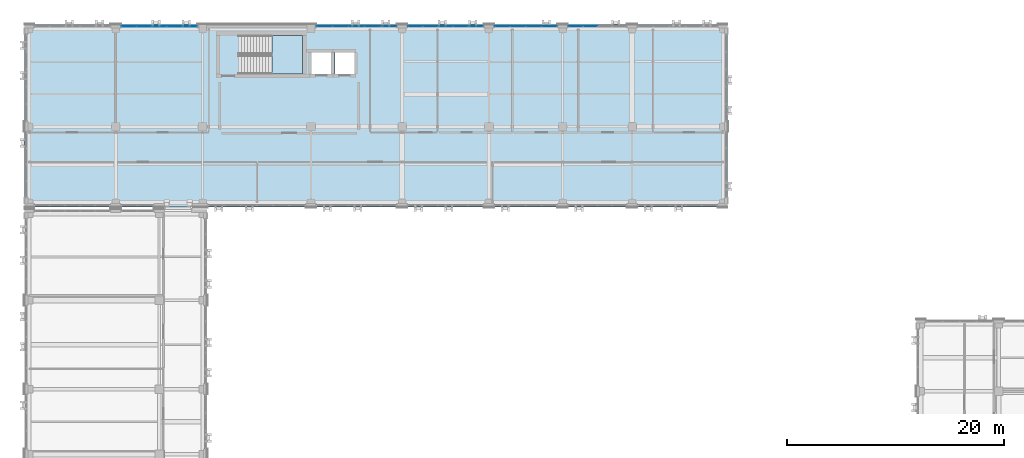
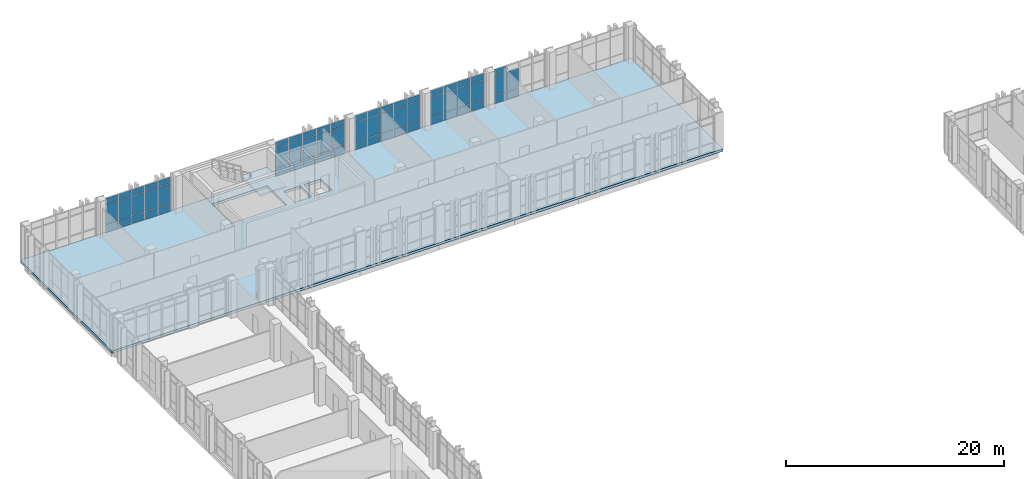
# One storey, part 127 of 165: 62 plates, 2 slabs, 6 elements without a shape of their own.
"""IFC4 building model written with IfcOpenShell, lengths in metres."""

from ifc_helpers import new_model, si_unit, direction, frame, origin, origin_2d, place, context, subcontext, project, spatial, polyline, rectangle, outline, extrude, material, layer, layer_set, type_object, element, aggregate, save


model = new_model("IFC4")

# Units and contexts
model_context = context("Model", 3, precision=1e-05, world=origin(), true_north=direction((0.0, 1.0)))
body_context = subcontext(model_context, "Body", "Model", "MODEL_VIEW")
ifc_project = project(units=[si_unit("LENGTHUNIT", "METRE"), si_unit("AREAUNIT", "SQUARE_METRE"), si_unit("VOLUMEUNIT", "CUBIC_METRE"), si_unit("PLANEANGLEUNIT", "RADIAN"), si_unit("MASSUNIT", "GRAM", prefix="KILO")], contexts=[model_context])

# Site, building, storey
site_placement = place(None, origin())
site = spatial("IfcSite", under=ifc_project, at=site_placement, CompositionType="ELEMENT")
building_placement = place(site_placement, origin())
building = spatial("IfcBuilding", under=site, at=building_placement, Name="Qalavern Law Courts", CompositionType="ELEMENT")
storey_placement = place(building_placement, frame((0.0, 0.0, 14.39990234375)))
storey = spatial("IfcBuildingStorey", under=building, at=storey_placement, Name="L03", CompositionType="ELEMENT", Elevation=14.39990234375)

# Curtain wall, plates
ifc_material_1 = material(Name="Anodised aluminium and insulated glazing", Category="aluminium")
ifc_layer_1 = layer(ifc_material_1, 0.166015625)
ifc_layer_set_1 = layer_set([ifc_layer_1], Name="Anodised aluminium and insulated glazing")
curtain_wall_type = type_object("IfcCurtainWallType", Name="ENV-CW-LIB", PredefinedType="USERDEFINED", material=ifc_layer_set_1)
curtain_wall_1_placement = place(storey_placement, origin())
curtain_wall_1 = element("IfcCurtainWall", 1, at=curtain_wall_1_placement, inside=storey, type_object=curtain_wall_type, Name="V5 unitised curtain wall L03 north 2", ObjectType="UNITISED CURTAIN WALL", PredefinedType="USERDEFINED")
ifc_material_2 = material(Name="Insulated low-E acoustic glazing", Category="glass")
ifc_layer_2 = layer(ifc_material_2, 0.02392578125)
ifc_layer_set_2 = layer_set([ifc_layer_2], Name="Insulated low-E acoustic glazing")
plate_type_1 = type_object("IfcPlateType", Name="ENV-CWP-24", PredefinedType="CURTAIN_PANEL", material=ifc_layer_set_2)
plate_1_placement = place(storey_placement, frame((54.125, 112.8525390625, 0.048095703125), z_axis=(0.0, 0.0, 1.0), x_axis=(-1.0, 0.0, 0.0)))
plate_1 = element("IfcPlate", 2, at=plate_1_placement, type_object=plate_type_1, Name="CW-05 panel 3.1", PredefinedType="CURTAIN_PANEL", context=body_context, shape_type="SweptSolid", body=[
    extrude(rectangle(XDim=1.302001953125, YDim=0.02392578125, at=origin_2d()), origin(), (0.0, 0.0, 1.0), 0.8779296875),
])
plate_2_placement = place(storey_placement, frame((54.125, 112.8525390625, 0.97412109375), z_axis=(0.0, 0.0, 1.0), x_axis=(-1.0, 0.0, 0.0)))
plate_2 = element("IfcPlate", 3, at=plate_2_placement, type_object=plate_type_1, Name="CW-05 panel 3.2", PredefinedType="CURTAIN_PANEL", context=body_context, shape_type="SweptSolid", body=[
    extrude(rectangle(XDim=1.302001953125, YDim=0.02392578125, at=origin_2d()), origin(), (0.0, 0.0, 1.0), 2.172119140625),
])
plate_3_placement = place(storey_placement, frame((52.787109375, 112.8525390625, 0.048095703125), z_axis=(0.0, 0.0, 1.0), x_axis=(-1.0, 0.0, 0.0)))
plate_3 = element("IfcPlate", 4, at=plate_3_placement, type_object=plate_type_1, Name="CW-05 panel 4.1", PredefinedType="CURTAIN_PANEL", context=body_context, shape_type="SweptSolid", body=[
    extrude(rectangle(XDim=1.278076171875, YDim=0.02392578125, at=origin_2d()), origin(), (0.0, 0.0, 1.0), 0.8779296875),
])
plate_4_placement = place(storey_placement, frame((52.787109375, 112.8525390625, 0.97412109375), z_axis=(0.0, 0.0, 1.0), x_axis=(-1.0, 0.0, 0.0)))
plate_4 = element("IfcPlate", 5, at=plate_4_placement, type_object=plate_type_1, Name="CW-05 panel 4.2", PredefinedType="CURTAIN_PANEL", context=body_context, shape_type="SweptSolid", body=[
    extrude(rectangle(XDim=1.278076171875, YDim=0.02392578125, at=origin_2d()), origin(), (0.0, 0.0, 1.0), 2.172119140625),
])
plate_5_placement = place(storey_placement, frame((52.787109375, 112.8525390625, 3.1943359375), z_axis=(0.0, 0.0, 1.0), x_axis=(-1.0, 0.0, 0.0)))
plate_5 = element("IfcPlate", 6, at=plate_5_placement, type_object=plate_type_1, Name="CW-05 panel 4.3", PredefinedType="CURTAIN_PANEL", context=body_context, shape_type="SweptSolid", body=[
    extrude(rectangle(XDim=1.278076171875, YDim=0.02392578125, at=origin_2d()), origin(), (0.0, 0.0, 1.0), 0.677978515625),
])
aggregate(curtain_wall_1, [plate_1, plate_2, plate_3, plate_4, plate_5])

curtain_wall_2_placement = place(storey_placement, origin())
curtain_wall_2 = element("IfcCurtainWall", 7, at=curtain_wall_2_placement, inside=storey, type_object=curtain_wall_type, Name="V5 unitised curtain wall L03 north 3", ObjectType="UNITISED CURTAIN WALL", PredefinedType="USERDEFINED")
ifc_layer_3 = layer(ifc_material_2, 0.028076171875)
ifc_layer_set_3 = layer_set([ifc_layer_3], Name="Insulated low-E acoustic glazing")
plate_type_2 = type_object("IfcPlateType", Name="ENV-CWP-28", PredefinedType="CURTAIN_PANEL", material=ifc_layer_set_3)
plate_6_placement = place(storey_placement, frame((50.363037109375, 112.8525390625, 0.048095703125), z_axis=(0.0, 0.0, 1.0), x_axis=(-1.0, 0.0, 0.0)))
plate_6 = element("IfcPlate", 8, at=plate_6_placement, type_object=plate_type_2, Name="CW-05 panel 1.1", PredefinedType="CURTAIN_PANEL", context=body_context, shape_type="SweptSolid", body=[
    extrude(rectangle(XDim=1.3779296875, YDim=0.028076171875, at=origin_2d()), origin(), (0.0, 0.0, 1.0), 0.8779296875),
])
plate_7_placement = place(storey_placement, frame((50.363037109375, 112.8525390625, 0.97412109375), z_axis=(0.0, 0.0, 1.0), x_axis=(-1.0, 0.0, 0.0)))
plate_7 = element("IfcPlate", 9, at=plate_7_placement, type_object=plate_type_2, Name="CW-05 panel 1.2", PredefinedType="CURTAIN_PANEL", context=body_context, shape_type="SweptSolid", body=[
    extrude(rectangle(XDim=1.3779296875, YDim=0.028076171875, at=origin_2d()), origin(), (0.0, 0.0, 1.0), 2.172119140625),
])
plate_8_placement = place(storey_placement, frame((50.363037109375, 112.8525390625, 3.1943359375), z_axis=(0.0, 0.0, 1.0), x_axis=(-1.0, 0.0, 0.0)))
plate_8 = element("IfcPlate", 10, at=plate_8_placement, type_object=plate_type_2, Name="CW-05 panel 1.3", PredefinedType="CURTAIN_PANEL", context=body_context, shape_type="SweptSolid", body=[
    extrude(rectangle(XDim=1.3779296875, YDim=0.028076171875, at=origin_2d()), origin(), (0.0, 0.0, 1.0), 0.677978515625),
])
plate_9_placement = place(storey_placement, frame((48.925048828125, 112.8525390625, 0.048095703125), z_axis=(0.0, 0.0, 1.0), x_axis=(-1.0, 0.0, 0.0)))
plate_9 = element("IfcPlate", 11, at=plate_9_placement, type_object=plate_type_2, Name="CW-05 panel 2.1", PredefinedType="CURTAIN_PANEL", context=body_context, shape_type="SweptSolid", body=[
    extrude(rectangle(XDim=1.402099609375, YDim=0.028076171875, at=origin_2d()), origin(), (0.0, 0.0, 1.0), 0.8779296875),
])
plate_10_placement = place(storey_placement, frame((48.925048828125, 112.8525390625, 0.97412109375), z_axis=(0.0, 0.0, 1.0), x_axis=(-1.0, 0.0, 0.0)))
plate_10 = element("IfcPlate", 12, at=plate_10_placement, type_object=plate_type_2, Name="CW-05 panel 2.2", PredefinedType="CURTAIN_PANEL", context=body_context, shape_type="SweptSolid", body=[
    extrude(rectangle(XDim=1.402099609375, YDim=0.028076171875, at=origin_2d()), origin(), (0.0, 0.0, 1.0), 2.172119140625),
])
plate_11_placement = place(storey_placement, frame((48.925048828125, 112.8525390625, 3.1943359375), z_axis=(0.0, 0.0, 1.0), x_axis=(-1.0, 0.0, 0.0)))
plate_11 = element("IfcPlate", 13, at=plate_11_placement, type_object=plate_type_2, Name="CW-05 panel 2.3", PredefinedType="CURTAIN_PANEL", context=body_context, shape_type="SweptSolid", body=[
    extrude(rectangle(XDim=1.402099609375, YDim=0.028076171875, at=origin_2d()), origin(), (0.0, 0.0, 1.0), 0.677978515625),
])
plate_12_placement = place(storey_placement, frame((47.47509765625, 112.8525390625, 0.048095703125), z_axis=(0.0, 0.0, 1.0), x_axis=(-1.0, 0.0, 0.0)))
plate_12 = element("IfcPlate", 14, at=plate_12_placement, type_object=plate_type_2, Name="CW-05 panel 3.1", PredefinedType="CURTAIN_PANEL", context=body_context, shape_type="SweptSolid", body=[
    extrude(rectangle(XDim=1.402099609375, YDim=0.028076171875, at=origin_2d()), origin(), (0.0, 0.0, 1.0), 0.8779296875),
])
plate_13_placement = place(storey_placement, frame((47.47509765625, 112.8525390625, 0.97412109375), z_axis=(0.0, 0.0, 1.0), x_axis=(-1.0, 0.0, 0.0)))
plate_13 = element("IfcPlate", 15, at=plate_13_placement, type_object=plate_type_2, Name="CW-05 panel 3.2", PredefinedType="CURTAIN_PANEL", context=body_context, shape_type="SweptSolid", body=[
    extrude(rectangle(XDim=1.402099609375, YDim=0.028076171875, at=origin_2d()), origin(), (0.0, 0.0, 1.0), 2.172119140625),
])
plate_14_placement = place(storey_placement, frame((47.47509765625, 112.8525390625, 3.1943359375), z_axis=(0.0, 0.0, 1.0), x_axis=(-1.0, 0.0, 0.0)))
plate_14 = element("IfcPlate", 16, at=plate_14_placement, type_object=plate_type_2, Name="CW-05 panel 3.3", PredefinedType="CURTAIN_PANEL", context=body_context, shape_type="SweptSolid", body=[
    extrude(rectangle(XDim=1.402099609375, YDim=0.028076171875, at=origin_2d()), origin(), (0.0, 0.0, 1.0), 0.677978515625),
])
plate_15_placement = place(storey_placement, frame((46.037109375, 112.8525390625, 0.048095703125), z_axis=(0.0, 0.0, 1.0), x_axis=(-1.0, 0.0, 0.0)))
plate_15 = element("IfcPlate", 17, at=plate_15_placement, type_object=plate_type_2, Name="CW-05 panel 4.1", PredefinedType="CURTAIN_PANEL", context=body_context, shape_type="SweptSolid", body=[
    extrude(rectangle(XDim=1.3779296875, YDim=0.028076171875, at=origin_2d()), origin(), (0.0, 0.0, 1.0), 0.8779296875),
])
plate_16_placement = place(storey_placement, frame((46.037109375, 112.8525390625, 0.97412109375), z_axis=(0.0, 0.0, 1.0), x_axis=(-1.0, 0.0, 0.0)))
plate_16 = element("IfcPlate", 18, at=plate_16_placement, type_object=plate_type_2, Name="CW-05 panel 4.2", PredefinedType="CURTAIN_PANEL", context=body_context, shape_type="SweptSolid", body=[
    extrude(rectangle(XDim=1.3779296875, YDim=0.028076171875, at=origin_2d()), origin(), (0.0, 0.0, 1.0), 2.172119140625),
])
plate_17_placement = place(storey_placement, frame((46.037109375, 112.8525390625, 3.1943359375), z_axis=(0.0, 0.0, 1.0), x_axis=(-1.0, 0.0, 0.0)))
plate_17 = element("IfcPlate", 19, at=plate_17_placement, type_object=plate_type_2, Name="CW-05 panel 4.3", PredefinedType="CURTAIN_PANEL", context=body_context, shape_type="SweptSolid", body=[
    extrude(rectangle(XDim=1.3779296875, YDim=0.028076171875, at=origin_2d()), origin(), (0.0, 0.0, 1.0), 0.677978515625),
])
aggregate(curtain_wall_2, [plate_6, plate_7, plate_8, plate_9, plate_10, plate_11, plate_12, plate_13, plate_14, plate_15, plate_16, plate_17])

curtain_wall_3_placement = place(storey_placement, origin())
curtain_wall_3 = element("IfcCurtainWall", 20, at=curtain_wall_3_placement, inside=storey, type_object=curtain_wall_type, Name="V5 unitised curtain wall L03 north 4", ObjectType="UNITISED CURTAIN WALL", PredefinedType="USERDEFINED")
ifc_layer_4 = layer(ifc_material_2, 0.031982421875)
ifc_layer_set_4 = layer_set([ifc_layer_4], Name="Insulated low-E acoustic glazing")
plate_type_3 = type_object("IfcPlateType", Name="ENV-CWP-32", PredefinedType="CURTAIN_PANEL", material=ifc_layer_set_4)
plate_18_placement = place(storey_placement, frame((43.587890625, 112.8525390625, 0.048095703125), z_axis=(0.0, 0.0, 1.0), x_axis=(-1.0, 0.0, 0.0)))
plate_18 = element("IfcPlate", 21, at=plate_18_placement, type_object=plate_type_3, Name="CW-05 panel 1.1", PredefinedType="CURTAIN_PANEL", context=body_context, shape_type="SweptSolid", body=[
    extrude(rectangle(XDim=1.327880859375, YDim=0.031982421875, at=origin_2d()), origin(), (0.0, 0.0, 1.0), 0.8779296875),
])
plate_19_placement = place(storey_placement, frame((43.587890625, 112.8525390625, 0.97412109375), z_axis=(0.0, 0.0, 1.0), x_axis=(-1.0, 0.0, 0.0)))
plate_19 = element("IfcPlate", 22, at=plate_19_placement, type_object=plate_type_3, Name="CW-05 panel 1.2", PredefinedType="CURTAIN_PANEL", context=body_context, shape_type="SweptSolid", body=[
    extrude(rectangle(XDim=1.327880859375, YDim=0.031982421875, at=origin_2d()), origin(), (0.0, 0.0, 1.0), 2.172119140625),
])
plate_20_placement = place(storey_placement, frame((43.587890625, 112.8525390625, 3.1943359375), z_axis=(0.0, 0.0, 1.0), x_axis=(-1.0, 0.0, 0.0)))
plate_20 = element("IfcPlate", 23, at=plate_20_placement, type_object=plate_type_3, Name="CW-05 panel 1.3", PredefinedType="CURTAIN_PANEL", context=body_context, shape_type="SweptSolid", body=[
    extrude(rectangle(XDim=1.327880859375, YDim=0.031982421875, at=origin_2d()), origin(), (0.0, 0.0, 1.0), 0.677978515625),
])
plate_21_placement = place(storey_placement, frame((42.199951171875, 112.8525390625, 0.048095703125), z_axis=(0.0, 0.0, 1.0), x_axis=(-1.0, 0.0, 0.0)))
plate_21 = element("IfcPlate", 24, at=plate_21_placement, type_object=plate_type_3, Name="CW-05 panel 2.1", PredefinedType="CURTAIN_PANEL", context=body_context, shape_type="SweptSolid", body=[
    extrude(rectangle(XDim=1.35205078125, YDim=0.031982421875, at=origin_2d()), origin(), (0.0, 0.0, 1.0), 0.8779296875),
])
plate_22_placement = place(storey_placement, frame((42.199951171875, 112.8525390625, 0.97412109375), z_axis=(0.0, 0.0, 1.0), x_axis=(-1.0, 0.0, 0.0)))
plate_22 = element("IfcPlate", 25, at=plate_22_placement, type_object=plate_type_3, Name="CW-05 panel 2.2", PredefinedType="CURTAIN_PANEL", context=body_context, shape_type="SweptSolid", body=[
    extrude(rectangle(XDim=1.35205078125, YDim=0.031982421875, at=origin_2d()), origin(), (0.0, 0.0, 1.0), 2.172119140625),
])
plate_23_placement = place(storey_placement, frame((42.199951171875, 112.8525390625, 3.1943359375), z_axis=(0.0, 0.0, 1.0), x_axis=(-1.0, 0.0, 0.0)))
plate_23 = element("IfcPlate", 26, at=plate_23_placement, type_object=plate_type_3, Name="CW-05 panel 2.3", PredefinedType="CURTAIN_PANEL", context=body_context, shape_type="SweptSolid", body=[
    extrude(rectangle(XDim=1.35205078125, YDim=0.031982421875, at=origin_2d()), origin(), (0.0, 0.0, 1.0), 0.677978515625),
])
plate_24_placement = place(storey_placement, frame((40.800048828125, 112.8525390625, 0.048095703125), z_axis=(0.0, 0.0, 1.0), x_axis=(-1.0, 0.0, 0.0)))
plate_24 = element("IfcPlate", 27, at=plate_24_placement, type_object=plate_type_3, Name="CW-05 panel 3.1", PredefinedType="CURTAIN_PANEL", context=body_context, shape_type="SweptSolid", body=[
    extrude(rectangle(XDim=1.35205078125, YDim=0.031982421875, at=origin_2d()), origin(), (0.0, 0.0, 1.0), 0.8779296875),
])
plate_25_placement = place(storey_placement, frame((40.800048828125, 112.8525390625, 0.97412109375), z_axis=(0.0, 0.0, 1.0), x_axis=(-1.0, 0.0, 0.0)))
plate_25 = element("IfcPlate", 28, at=plate_25_placement, type_object=plate_type_3, Name="CW-05 panel 3.2", PredefinedType="CURTAIN_PANEL", context=body_context, shape_type="SweptSolid", body=[
    extrude(rectangle(XDim=1.35205078125, YDim=0.031982421875, at=origin_2d()), origin(), (0.0, 0.0, 1.0), 2.172119140625),
])
plate_26_placement = place(storey_placement, frame((40.800048828125, 112.8525390625, 3.1943359375), z_axis=(0.0, 0.0, 1.0), x_axis=(-1.0, 0.0, 0.0)))
plate_26 = element("IfcPlate", 29, at=plate_26_placement, type_object=plate_type_3, Name="CW-05 panel 3.3", PredefinedType="CURTAIN_PANEL", context=body_context, shape_type="SweptSolid", body=[
    extrude(rectangle(XDim=1.35205078125, YDim=0.031982421875, at=origin_2d()), origin(), (0.0, 0.0, 1.0), 0.677978515625),
])
plate_27_placement = place(storey_placement, frame((39.39990234375, 112.8525390625, 0.048095703125), z_axis=(0.0, 0.0, 1.0), x_axis=(-1.0, 0.0, 0.0)))
plate_27 = element("IfcPlate", 30, at=plate_27_placement, type_object=plate_type_3, Name="CW-05 panel 4.1", PredefinedType="CURTAIN_PANEL", context=body_context, shape_type="SweptSolid", body=[
    extrude(rectangle(XDim=1.35205078125, YDim=0.031982421875, at=origin_2d()), origin(), (0.0, 0.0, 1.0), 0.8779296875),
])
plate_28_placement = place(storey_placement, frame((39.39990234375, 112.8525390625, 0.97412109375), z_axis=(0.0, 0.0, 1.0), x_axis=(-1.0, 0.0, 0.0)))
plate_28 = element("IfcPlate", 31, at=plate_28_placement, type_object=plate_type_3, Name="CW-05 panel 4.2", PredefinedType="CURTAIN_PANEL", context=body_context, shape_type="SweptSolid", body=[
    extrude(rectangle(XDim=1.35205078125, YDim=0.031982421875, at=origin_2d()), origin(), (0.0, 0.0, 1.0), 2.172119140625),
])
plate_29_placement = place(storey_placement, frame((39.39990234375, 112.8525390625, 3.1943359375), z_axis=(0.0, 0.0, 1.0), x_axis=(-1.0, 0.0, 0.0)))
plate_29 = element("IfcPlate", 32, at=plate_29_placement, type_object=plate_type_3, Name="CW-05 panel 4.3", PredefinedType="CURTAIN_PANEL", context=body_context, shape_type="SweptSolid", body=[
    extrude(rectangle(XDim=1.35205078125, YDim=0.031982421875, at=origin_2d()), origin(), (0.0, 0.0, 1.0), 0.677978515625),
])
plate_30_placement = place(storey_placement, frame((38.011962890625, 112.8525390625, 0.048095703125), z_axis=(0.0, 0.0, 1.0), x_axis=(-1.0, 0.0, 0.0)))
plate_30 = element("IfcPlate", 33, at=plate_30_placement, type_object=plate_type_3, Name="CW-05 panel 5.1", PredefinedType="CURTAIN_PANEL", context=body_context, shape_type="SweptSolid", body=[
    extrude(rectangle(XDim=1.327880859375, YDim=0.031982421875, at=origin_2d()), origin(), (0.0, 0.0, 1.0), 0.8779296875),
])
plate_31_placement = place(storey_placement, frame((38.011962890625, 112.8525390625, 0.97412109375), z_axis=(0.0, 0.0, 1.0), x_axis=(-1.0, 0.0, 0.0)))
plate_31 = element("IfcPlate", 34, at=plate_31_placement, type_object=plate_type_3, Name="CW-05 panel 5.2", PredefinedType="CURTAIN_PANEL", context=body_context, shape_type="SweptSolid", body=[
    extrude(rectangle(XDim=1.327880859375, YDim=0.031982421875, at=origin_2d()), origin(), (0.0, 0.0, 1.0), 2.172119140625),
])
plate_32_placement = place(storey_placement, frame((38.011962890625, 112.8525390625, 3.1943359375), z_axis=(0.0, 0.0, 1.0), x_axis=(-1.0, 0.0, 0.0)))
plate_32 = element("IfcPlate", 35, at=plate_32_placement, type_object=plate_type_3, Name="CW-05 panel 5.3", PredefinedType="CURTAIN_PANEL", context=body_context, shape_type="SweptSolid", body=[
    extrude(rectangle(XDim=1.327880859375, YDim=0.031982421875, at=origin_2d()), origin(), (0.0, 0.0, 1.0), 0.677978515625),
])
aggregate(curtain_wall_3, [plate_18, plate_19, plate_20, plate_21, plate_22, plate_23, plate_24, plate_25, plate_26, plate_27, plate_28, plate_29, plate_30, plate_31, plate_32])

curtain_wall_4_placement = place(storey_placement, origin())
curtain_wall_4 = element("IfcCurtainWall", 36, at=curtain_wall_4_placement, inside=storey, type_object=curtain_wall_type, Name="V5 unitised curtain wall L03 north 5", ObjectType="UNITISED CURTAIN WALL", PredefinedType="USERDEFINED")
ifc_layer_5 = layer(ifc_material_2, 0.035888671875)
ifc_layer_set_5 = layer_set([ifc_layer_5], Name="Insulated low-E acoustic glazing")
plate_type_4 = type_object("IfcPlateType", Name="ENV-CWP-36", PredefinedType="CURTAIN_PANEL", material=ifc_layer_set_5)
plate_33_placement = place(storey_placement, frame((35.548095703125, 112.8525390625, 0.048095703125), z_axis=(0.0, 0.0, 1.0), x_axis=(-1.0, 0.0, 0.0)))
plate_33 = element("IfcPlate", 37, at=plate_33_placement, type_object=plate_type_4, Name="CW-05 panel 1.1", PredefinedType="CURTAIN_PANEL", context=body_context, shape_type="SweptSolid", body=[
    extrude(rectangle(XDim=1.407958984375, YDim=0.035888671875, at=origin_2d()), origin(), (0.0, 0.0, 1.0), 0.8779296875),
])
plate_34_placement = place(storey_placement, frame((35.548095703125, 112.8525390625, 0.97412109375), z_axis=(0.0, 0.0, 1.0), x_axis=(-1.0, 0.0, 0.0)))
plate_34 = element("IfcPlate", 38, at=plate_34_placement, type_object=plate_type_4, Name="CW-05 panel 1.2", PredefinedType="CURTAIN_PANEL", context=body_context, shape_type="SweptSolid", body=[
    extrude(rectangle(XDim=1.407958984375, YDim=0.035888671875, at=origin_2d()), origin(), (0.0, 0.0, 1.0), 2.172119140625),
])
plate_35_placement = place(storey_placement, frame((35.548095703125, 112.8525390625, 3.1943359375), z_axis=(0.0, 0.0, 1.0), x_axis=(-1.0, 0.0, 0.0)))
plate_35 = element("IfcPlate", 39, at=plate_35_placement, type_object=plate_type_4, Name="CW-05 panel 1.3", PredefinedType="CURTAIN_PANEL", context=body_context, shape_type="SweptSolid", body=[
    extrude(rectangle(XDim=1.407958984375, YDim=0.035888671875, at=origin_2d()), origin(), (0.0, 0.0, 1.0), 0.677978515625),
])
plate_36_placement = place(storey_placement, frame((34.080078125, 112.8525390625, 0.048095703125), z_axis=(0.0, 0.0, 1.0), x_axis=(-1.0, 0.0, 0.0)))
plate_36 = element("IfcPlate", 40, at=plate_36_placement, type_object=plate_type_4, Name="CW-05 panel 2.1", PredefinedType="CURTAIN_PANEL", context=body_context, shape_type="SweptSolid", body=[
    extrude(rectangle(XDim=1.431884765625, YDim=0.035888671875, at=origin_2d()), origin(), (0.0, 0.0, 1.0), 0.8779296875),
])
plate_37_placement = place(storey_placement, frame((34.080078125, 112.8525390625, 0.97412109375), z_axis=(0.0, 0.0, 1.0), x_axis=(-1.0, 0.0, 0.0)))
plate_37 = element("IfcPlate", 41, at=plate_37_placement, type_object=plate_type_4, Name="CW-05 panel 2.2", PredefinedType="CURTAIN_PANEL", context=body_context, shape_type="SweptSolid", body=[
    extrude(rectangle(XDim=1.431884765625, YDim=0.035888671875, at=origin_2d()), origin(), (0.0, 0.0, 1.0), 2.172119140625),
])
plate_38_placement = place(storey_placement, frame((34.080078125, 112.8525390625, 3.1943359375), z_axis=(0.0, 0.0, 1.0), x_axis=(-1.0, 0.0, 0.0)))
plate_38 = element("IfcPlate", 42, at=plate_38_placement, type_object=plate_type_4, Name="CW-05 panel 2.3", PredefinedType="CURTAIN_PANEL", context=body_context, shape_type="SweptSolid", body=[
    extrude(rectangle(XDim=1.431884765625, YDim=0.035888671875, at=origin_2d()), origin(), (0.0, 0.0, 1.0), 0.677978515625),
])
plate_39_placement = place(storey_placement, frame((32.60009765625, 112.8525390625, 0.048095703125), z_axis=(0.0, 0.0, 1.0), x_axis=(-1.0, 0.0, 0.0)))
plate_39 = element("IfcPlate", 43, at=plate_39_placement, type_object=plate_type_4, Name="CW-05 panel 3.1", PredefinedType="CURTAIN_PANEL", context=body_context, shape_type="SweptSolid", body=[
    extrude(rectangle(XDim=1.431884765625, YDim=0.035888671875, at=origin_2d()), origin(), (0.0, 0.0, 1.0), 0.8779296875),
])
plate_40_placement = place(storey_placement, frame((32.60009765625, 112.8525390625, 0.97412109375), z_axis=(0.0, 0.0, 1.0), x_axis=(-1.0, 0.0, 0.0)))
plate_40 = element("IfcPlate", 44, at=plate_40_placement, type_object=plate_type_4, Name="CW-05 panel 3.2", PredefinedType="CURTAIN_PANEL", context=body_context, shape_type="SweptSolid", body=[
    extrude(rectangle(XDim=1.431884765625, YDim=0.035888671875, at=origin_2d()), origin(), (0.0, 0.0, 1.0), 2.172119140625),
])
plate_41_placement = place(storey_placement, frame((32.60009765625, 112.8525390625, 3.1943359375), z_axis=(0.0, 0.0, 1.0), x_axis=(-1.0, 0.0, 0.0)))
plate_41 = element("IfcPlate", 45, at=plate_41_placement, type_object=plate_type_4, Name="CW-05 panel 3.3", PredefinedType="CURTAIN_PANEL", context=body_context, shape_type="SweptSolid", body=[
    extrude(rectangle(XDim=1.431884765625, YDim=0.035888671875, at=origin_2d()), origin(), (0.0, 0.0, 1.0), 0.677978515625),
])
plate_42_placement = place(storey_placement, frame((31.1201171875, 112.8525390625, 0.048095703125), z_axis=(0.0, 0.0, 1.0), x_axis=(-1.0, 0.0, 0.0)))
plate_42 = element("IfcPlate", 46, at=plate_42_placement, type_object=plate_type_4, Name="CW-05 panel 4.1", PredefinedType="CURTAIN_PANEL", context=body_context, shape_type="SweptSolid", body=[
    extrude(rectangle(XDim=1.431884765625, YDim=0.035888671875, at=origin_2d()), origin(), (0.0, 0.0, 1.0), 0.8779296875),
])
plate_43_placement = place(storey_placement, frame((31.1201171875, 112.8525390625, 0.97412109375), z_axis=(0.0, 0.0, 1.0), x_axis=(-1.0, 0.0, 0.0)))
plate_43 = element("IfcPlate", 47, at=plate_43_placement, type_object=plate_type_4, Name="CW-05 panel 4.2", PredefinedType="CURTAIN_PANEL", context=body_context, shape_type="SweptSolid", body=[
    extrude(rectangle(XDim=1.431884765625, YDim=0.035888671875, at=origin_2d()), origin(), (0.0, 0.0, 1.0), 2.172119140625),
])
plate_44_placement = place(storey_placement, frame((31.1201171875, 112.8525390625, 3.1943359375), z_axis=(0.0, 0.0, 1.0), x_axis=(-1.0, 0.0, 0.0)))
plate_44 = element("IfcPlate", 48, at=plate_44_placement, type_object=plate_type_4, Name="CW-05 panel 4.3", PredefinedType="CURTAIN_PANEL", context=body_context, shape_type="SweptSolid", body=[
    extrude(rectangle(XDim=1.431884765625, YDim=0.035888671875, at=origin_2d()), origin(), (0.0, 0.0, 1.0), 0.677978515625),
])
plate_45_placement = place(storey_placement, frame((29.652099609375, 112.8525390625, 0.048095703125), z_axis=(0.0, 0.0, 1.0), x_axis=(-1.0, 0.0, 0.0)))
plate_45 = element("IfcPlate", 49, at=plate_45_placement, type_object=plate_type_4, Name="CW-05 panel 5.1", PredefinedType="CURTAIN_PANEL", context=body_context, shape_type="SweptSolid", body=[
    extrude(rectangle(XDim=1.407958984375, YDim=0.035888671875, at=origin_2d()), origin(), (0.0, 0.0, 1.0), 0.8779296875),
])
plate_46_placement = place(storey_placement, frame((29.652099609375, 112.8525390625, 0.97412109375), z_axis=(0.0, 0.0, 1.0), x_axis=(-1.0, 0.0, 0.0)))
plate_46 = element("IfcPlate", 50, at=plate_46_placement, type_object=plate_type_4, Name="CW-05 panel 5.2", PredefinedType="CURTAIN_PANEL", context=body_context, shape_type="SweptSolid", body=[
    extrude(rectangle(XDim=1.407958984375, YDim=0.035888671875, at=origin_2d()), origin(), (0.0, 0.0, 1.0), 2.172119140625),
])
plate_47_placement = place(storey_placement, frame((29.652099609375, 112.8525390625, 3.1943359375), z_axis=(0.0, 0.0, 1.0), x_axis=(-1.0, 0.0, 0.0)))
plate_47 = element("IfcPlate", 51, at=plate_47_placement, type_object=plate_type_4, Name="CW-05 panel 5.3", PredefinedType="CURTAIN_PANEL", context=body_context, shape_type="SweptSolid", body=[
    extrude(rectangle(XDim=1.407958984375, YDim=0.035888671875, at=origin_2d()), origin(), (0.0, 0.0, 1.0), 0.677978515625),
])
aggregate(curtain_wall_4, [plate_33, plate_34, plate_35, plate_36, plate_37, plate_38, plate_39, plate_40, plate_41, plate_42, plate_43, plate_44, plate_45, plate_46, plate_47])

curtain_wall_5_placement = place(storey_placement, origin())
curtain_wall_5 = element("IfcCurtainWall", 52, at=curtain_wall_5_placement, inside=storey, type_object=curtain_wall_type, Name="V5 unitised curtain wall L03 north 6", ObjectType="UNITISED CURTAIN WALL", PredefinedType="USERDEFINED")
ifc_layer_6 = layer(ifc_material_2, 0.0400390625)
ifc_layer_set_6 = layer_set([ifc_layer_6], Name="Insulated low-E acoustic glazing")
plate_type_5 = type_object("IfcPlateType", Name="ENV-CWP-40", PredefinedType="CURTAIN_PANEL", material=ifc_layer_set_6)
plate_48_placement = place(storey_placement, frame((17.18798828125, 112.8525390625, 0.048095703125), z_axis=(0.0, 0.0, 1.0), x_axis=(-1.0, 0.0, 0.0)))
plate_48 = element("IfcPlate", 53, at=plate_48_placement, type_object=plate_type_5, Name="CW-05 panel 1.1", PredefinedType="CURTAIN_PANEL", context=body_context, shape_type="SweptSolid", body=[
    extrude(rectangle(XDim=1.327880859375, YDim=0.0400390625, at=origin_2d()), origin(), (0.0, 0.0, 1.0), 0.8779296875),
])
plate_49_placement = place(storey_placement, frame((17.18798828125, 112.8525390625, 0.97412109375), z_axis=(0.0, 0.0, 1.0), x_axis=(-1.0, 0.0, 0.0)))
plate_49 = element("IfcPlate", 54, at=plate_49_placement, type_object=plate_type_5, Name="CW-05 panel 1.2", PredefinedType="CURTAIN_PANEL", context=body_context, shape_type="SweptSolid", body=[
    extrude(rectangle(XDim=1.327880859375, YDim=0.0400390625, at=origin_2d()), origin(), (0.0, 0.0, 1.0), 2.172119140625),
])
plate_50_placement = place(storey_placement, frame((17.18798828125, 112.8525390625, 3.1943359375), z_axis=(0.0, 0.0, 1.0), x_axis=(-1.0, 0.0, 0.0)))
plate_50 = element("IfcPlate", 55, at=plate_50_placement, type_object=plate_type_5, Name="CW-05 panel 1.3", PredefinedType="CURTAIN_PANEL", context=body_context, shape_type="SweptSolid", body=[
    extrude(rectangle(XDim=1.327880859375, YDim=0.0400390625, at=origin_2d()), origin(), (0.0, 0.0, 1.0), 0.677978515625),
])
plate_51_placement = place(storey_placement, frame((15.800048828125, 112.8525390625, 0.048095703125), z_axis=(0.0, 0.0, 1.0), x_axis=(-1.0, 0.0, 0.0)))
plate_51 = element("IfcPlate", 56, at=plate_51_placement, type_object=plate_type_5, Name="CW-05 panel 2.1", PredefinedType="CURTAIN_PANEL", context=body_context, shape_type="SweptSolid", body=[
    extrude(rectangle(XDim=1.35205078125, YDim=0.0400390625, at=origin_2d()), origin(), (0.0, 0.0, 1.0), 0.8779296875),
])
plate_52_placement = place(storey_placement, frame((15.800048828125, 112.8525390625, 0.97412109375), z_axis=(0.0, 0.0, 1.0), x_axis=(-1.0, 0.0, 0.0)))
plate_52 = element("IfcPlate", 57, at=plate_52_placement, type_object=plate_type_5, Name="CW-05 panel 2.2", PredefinedType="CURTAIN_PANEL", context=body_context, shape_type="SweptSolid", body=[
    extrude(rectangle(XDim=1.35205078125, YDim=0.0400390625, at=origin_2d()), origin(), (0.0, 0.0, 1.0), 2.172119140625),
])
plate_53_placement = place(storey_placement, frame((15.800048828125, 112.8525390625, 3.1943359375), z_axis=(0.0, 0.0, 1.0), x_axis=(-1.0, 0.0, 0.0)))
plate_53 = element("IfcPlate", 58, at=plate_53_placement, type_object=plate_type_5, Name="CW-05 panel 2.3", PredefinedType="CURTAIN_PANEL", context=body_context, shape_type="SweptSolid", body=[
    extrude(rectangle(XDim=1.35205078125, YDim=0.0400390625, at=origin_2d()), origin(), (0.0, 0.0, 1.0), 0.677978515625),
])
plate_54_placement = place(storey_placement, frame((14.39990234375, 112.8525390625, 0.048095703125), z_axis=(0.0, 0.0, 1.0), x_axis=(-1.0, 0.0, 0.0)))
plate_54 = element("IfcPlate", 59, at=plate_54_placement, type_object=plate_type_5, Name="CW-05 panel 3.1", PredefinedType="CURTAIN_PANEL", context=body_context, shape_type="SweptSolid", body=[
    extrude(rectangle(XDim=1.35205078125, YDim=0.0400390625, at=origin_2d()), origin(), (0.0, 0.0, 1.0), 0.8779296875),
])
plate_55_placement = place(storey_placement, frame((14.39990234375, 112.8525390625, 0.97412109375), z_axis=(0.0, 0.0, 1.0), x_axis=(-1.0, 0.0, 0.0)))
plate_55 = element("IfcPlate", 60, at=plate_55_placement, type_object=plate_type_5, Name="CW-05 panel 3.2", PredefinedType="CURTAIN_PANEL", context=body_context, shape_type="SweptSolid", body=[
    extrude(rectangle(XDim=1.35205078125, YDim=0.0400390625, at=origin_2d()), origin(), (0.0, 0.0, 1.0), 2.172119140625),
])
plate_56_placement = place(storey_placement, frame((14.39990234375, 112.8525390625, 3.1943359375), z_axis=(0.0, 0.0, 1.0), x_axis=(-1.0, 0.0, 0.0)))
plate_56 = element("IfcPlate", 61, at=plate_56_placement, type_object=plate_type_5, Name="CW-05 panel 3.3", PredefinedType="CURTAIN_PANEL", context=body_context, shape_type="SweptSolid", body=[
    extrude(rectangle(XDim=1.35205078125, YDim=0.0400390625, at=origin_2d()), origin(), (0.0, 0.0, 1.0), 0.677978515625),
])
plate_57_placement = place(storey_placement, frame((13.0, 112.8525390625, 0.048095703125), z_axis=(0.0, 0.0, 1.0), x_axis=(-1.0, 0.0, 0.0)))
plate_57 = element("IfcPlate", 62, at=plate_57_placement, type_object=plate_type_5, Name="CW-05 panel 4.1", PredefinedType="CURTAIN_PANEL", context=body_context, shape_type="SweptSolid", body=[
    extrude(rectangle(XDim=1.35205078125, YDim=0.0400390625, at=origin_2d()), origin(), (0.0, 0.0, 1.0), 0.8779296875),
])
plate_58_placement = place(storey_placement, frame((13.0, 112.8525390625, 0.97412109375), z_axis=(0.0, 0.0, 1.0), x_axis=(-1.0, 0.0, 0.0)))
plate_58 = element("IfcPlate", 63, at=plate_58_placement, type_object=plate_type_5, Name="CW-05 panel 4.2", PredefinedType="CURTAIN_PANEL", context=body_context, shape_type="SweptSolid", body=[
    extrude(rectangle(XDim=1.35205078125, YDim=0.0400390625, at=origin_2d()), origin(), (0.0, 0.0, 1.0), 2.172119140625),
])
plate_59_placement = place(storey_placement, frame((13.0, 112.8525390625, 3.1943359375), z_axis=(0.0, 0.0, 1.0), x_axis=(-1.0, 0.0, 0.0)))
plate_59 = element("IfcPlate", 64, at=plate_59_placement, type_object=plate_type_5, Name="CW-05 panel 4.3", PredefinedType="CURTAIN_PANEL", context=body_context, shape_type="SweptSolid", body=[
    extrude(rectangle(XDim=1.35205078125, YDim=0.0400390625, at=origin_2d()), origin(), (0.0, 0.0, 1.0), 0.677978515625),
])
plate_60_placement = place(storey_placement, frame((11.612060546875, 112.8525390625, 0.048095703125), z_axis=(0.0, 0.0, 1.0), x_axis=(-1.0, 0.0, 0.0)))
plate_60 = element("IfcPlate", 65, at=plate_60_placement, type_object=plate_type_5, Name="CW-05 panel 5.1", PredefinedType="CURTAIN_PANEL", context=body_context, shape_type="SweptSolid", body=[
    extrude(rectangle(XDim=1.327880859375, YDim=0.0400390625, at=origin_2d()), origin(), (0.0, 0.0, 1.0), 0.8779296875),
])
plate_61_placement = place(storey_placement, frame((11.612060546875, 112.8525390625, 0.97412109375), z_axis=(0.0, 0.0, 1.0), x_axis=(-1.0, 0.0, 0.0)))
plate_61 = element("IfcPlate", 66, at=plate_61_placement, type_object=plate_type_5, Name="CW-05 panel 5.2", PredefinedType="CURTAIN_PANEL", context=body_context, shape_type="SweptSolid", body=[
    extrude(rectangle(XDim=1.327880859375, YDim=0.0400390625, at=origin_2d()), origin(), (0.0, 0.0, 1.0), 2.172119140625),
])
plate_62_placement = place(storey_placement, frame((11.612060546875, 112.8525390625, 3.1943359375), z_axis=(0.0, 0.0, 1.0), x_axis=(-1.0, 0.0, 0.0)))
plate_62 = element("IfcPlate", 67, at=plate_62_placement, type_object=plate_type_5, Name="CW-05 panel 5.3", PredefinedType="CURTAIN_PANEL", context=body_context, shape_type="SweptSolid", body=[
    extrude(rectangle(XDim=1.327880859375, YDim=0.0400390625, at=origin_2d()), origin(), (0.0, 0.0, 1.0), 0.677978515625),
])
aggregate(curtain_wall_5, [plate_48, plate_49, plate_50, plate_51, plate_52, plate_53, plate_54, plate_55, plate_56, plate_57, plate_58, plate_59, plate_60, plate_61, plate_62])

# Stair, slab
ifc_material_3 = material(Name="Concrete C35/45", Category="concrete")
stair_type = type_object("IfcStairType", Name="INT-STAIR-1700", PredefinedType="HALF_TURN_STAIR", material=ifc_material_3)
stair_placement = place(storey_placement, origin())
stair = element("IfcStair", 68, at=stair_placement, inside=storey, type_object=stair_type, Name="L03 ST-K3", PredefinedType="HALF_TURN_STAIR")
ifc_layer_7 = layer(ifc_material_3, 0.199951171875)
ifc_layer_set_7 = layer_set([ifc_layer_7], Name="Concrete C35/45")
slab_type_1 = type_object("IfcSlabType", Name="INT-LANDING-200", PredefinedType="LANDING", material=ifc_layer_set_7)
slab_1_placement = place(storey_placement, frame((0.0, 0.0, 1.900146484375)))
slab_1 = element("IfcSlab", 69, at=slab_1_placement, type_object=slab_type_1, Name="ST-K3 landing 1", PredefinedType="LANDING", context=body_context, shape_type="SweptSolid", body=[
    extrude(outline(polyline([(24.780029296875, 108.449951171875), (27.60009765625, 108.449951171875), (27.60009765625, 112.0), (24.780029296875, 112.0), (24.780029296875, 108.449951171875)])), origin(), (0.0, 0.0, 1.0), 0.199951171875),
])
aggregate(stair, [slab_1])

# Slab
ifc_material_4 = material(Name="Concrete C40/50", Category="concrete")
ifc_layer_8 = layer(ifc_material_4, 0.284912109375)
ifc_layer_set_8 = layer_set([ifc_layer_8], Name="Concrete C40/50")
slab_type_2 = type_object("IfcSlabType", Name="STR-SLB-L03-285", PredefinedType="FLOOR", material=ifc_layer_set_8)
slab_2_placement = place(storey_placement, frame((0.0, 0.0, -0.284912109375)))
element("IfcSlab", 70, at=slab_2_placement, inside=storey, type_object=slab_type_2, Name="V5 floor slab L03", PredefinedType="FLOOR", context=body_context, shape_type="SweptSolid", body=[
    extrude(outline(polyline([(2.0, 96.199951171875), (66.800048828125, 96.199951171875), (66.800048828125, 113.0), (2.0, 113.0), (2.0, 96.199951171875)]), holes=[polyline([(21.739990234375, 108.449951171875), (27.60009765625, 108.449951171875), (27.60009765625, 112.0), (21.739990234375, 112.0), (21.739990234375, 108.449951171875)]), polyline([(28.449951171875, 108.449951171875), (30.25, 108.449951171875), (30.25, 110.449951171875), (28.449951171875, 110.449951171875), (28.449951171875, 108.449951171875)]), polyline([(30.60009765625, 108.449951171875), (32.39990234375, 108.449951171875), (32.39990234375, 110.449951171875), (30.60009765625, 110.449951171875), (30.60009765625, 108.449951171875)])]), origin(), (0.0, 0.0, 1.0), 0.284912109375),
])

save(model, "model.ifc")
